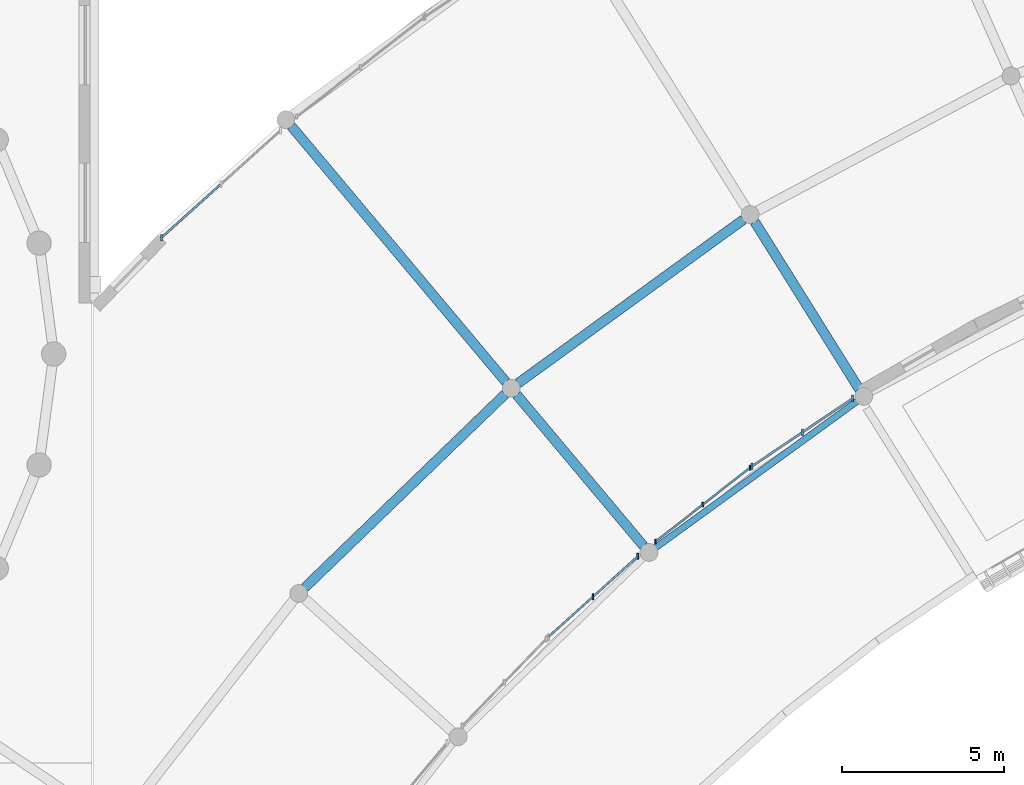
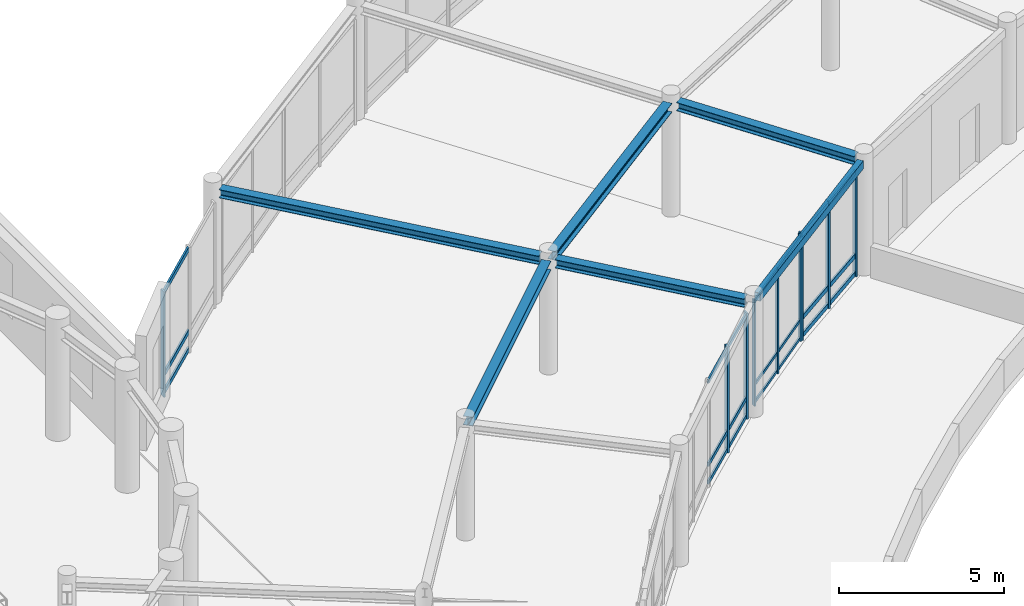
# One storey, part 9 of 62: 30 members, 6 beams, 4 elements without a shape of their own.
"""IFC4 building model written with IfcOpenShell, lengths in metres."""

from ifc_helpers import new_model, si_unit, direction, frame, origin, origin_2d, place, context, subcontext, project, spatial, rectangle, hollow_rectangle, i_section, extrude, material, material_profile, profile_set, type_object, element, aggregate, save


model = new_model("IFC4")

# Units and contexts
model_context = context("Model", 3, precision=1e-05, world=origin(), true_north=direction((0.0, 1.0)))
body_context = subcontext(model_context, "Body", "Model", "MODEL_VIEW")
ifc_project = project(units=[si_unit("LENGTHUNIT", "METRE"), si_unit("AREAUNIT", "SQUARE_METRE"), si_unit("VOLUMEUNIT", "CUBIC_METRE"), si_unit("PLANEANGLEUNIT", "RADIAN"), si_unit("MASSUNIT", "GRAM", prefix="KILO")], contexts=[model_context])

# Site, building, storey
site_placement = place(None, origin())
site = spatial("IfcSite", under=ifc_project, at=site_placement, CompositionType="ELEMENT")
building_placement = place(site_placement, origin())
building = spatial("IfcBuilding", under=site, at=building_placement, Name="Clarverna Civic Hall", CompositionType="ELEMENT")
storey_placement = place(building_placement, frame((0.0, 0.0, 5.10009765625)))
storey = spatial("IfcBuildingStorey", under=building, at=storey_placement, Name="L01", CompositionType="ELEMENT", Elevation=5.10009765625)

# Beams
ifc_material_1 = material(Name="Steel S355", Category="steel")
ifc_material_profile_1 = material_profile(ifc_material_1, hollow_rectangle(XDim=0.199951171875, YDim=0.300048828125, WallThickness=0.010009765625, at=origin_2d()), Name="RHS 300x200x10.0")
ifc_profile_set_1 = profile_set([ifc_material_profile_1], Name="Steel S355")
beam_type_1 = type_object("IfcBeamType", Name="B-ST15", PredefinedType="SPANDREL", material=ifc_profile_set_1)
beam_1_placement = place(storey_placement, frame((120.736328125, 57.542724609375, 4.10986328125), z_axis=(-0.809015945709, -0.587786695655, 0.0), x_axis=(0.587786695655, -0.809015945709, 0.0)))
element("IfcBeam", 1, at=beam_1_placement, inside=storey, type_object=beam_type_1, Name="B-ST15-013", PredefinedType="SPANDREL", context=body_context, shape_type="SweptSolid", body=[
    extrude(hollow_rectangle(XDim=0.199951171875, YDim=0.300048828125, WallThickness=0.010009765625, at=origin_2d()), origin(), (0.0, 0.0, 1.0), 7.655517578125),
])
ifc_material_profile_2 = material_profile(ifc_material_1, i_section(OverallWidth=0.300048828125, OverallDepth=0.330078125, WebThickness=0.009521484375, FlangeThickness=0.0166015625, FilletRadius=0.027099609375, at=origin_2d()), Name="HEA 340")
ifc_profile_set_2 = profile_set([ifc_material_profile_2], Name="Steel S355")
beam_type_2 = type_object("IfcBeamType", Name="B-ST8", PredefinedType="BEAM", material=ifc_profile_set_2)
for number, where, z_axis, x_axis, name in (
    (2, (117.239013671875, 63.139892578125, 4.054931640625), (-0.809021578494, -0.587778942742, 0.0), (0.587778942742, -0.809021578494, 0.0), "B-ST8-061"),
    (3, (109.9033203125, 57.765380859375, 4.054931640625), (-0.719353389595, -0.694644298097, 0.0), (0.694644298097, -0.719353389595, 0.0), "B-ST8-062"),
):
    element("IfcBeam", number, at=place(storey_placement, frame(where, z_axis=z_axis, x_axis=x_axis)), inside=storey, type_object=beam_type_2, Name=name, PredefinedType="BEAM", context=body_context, shape_type="SweptSolid", body=[
        extrude(i_section(OverallWidth=0.300048828125, OverallDepth=0.330078125, WebThickness=0.009521484375, FlangeThickness=0.0166015625, FilletRadius=0.027099609375, at=origin_2d()), origin(), (0.0, 0.0, 1.0), 8.576416015625),
    ])
ifc_material_profile_3 = material_profile(ifc_material_1, i_section(OverallWidth=0.300048828125, OverallDepth=0.31005859375, WebThickness=0.009033203125, FlangeThickness=0.015380859375, FilletRadius=0.027099609375, at=origin_2d()), Name="HEA 320")
ifc_profile_set_3 = profile_set([ifc_material_profile_3], Name="Steel S355")
beam_type_3 = type_object("IfcBeamType", Name="B-ST9", PredefinedType="BEAM", material=ifc_profile_set_3)
for number, where, z_axis, x_axis, name in (
    (4, (120.808837890625, 57.916015625, 4.06494140625), (-0.529883433489, 0.848070484638, 0.0), (-0.848070484638, -0.529883433489, 0.0), "B-ST9-062"),
    (5, (114.16552734375, 53.08935546875, 4.06494140625), (-0.6427993052, 0.766034629266, 0.0), (-0.766034629266, -0.6427993052, 0.0), "B-ST9-064"),
):
    element("IfcBeam", number, at=place(storey_placement, frame(where, z_axis=z_axis, x_axis=x_axis)), inside=storey, type_object=beam_type_3, Name=name, PredefinedType="BEAM", context=body_context, shape_type="SweptSolid", body=[
        extrude(i_section(OverallWidth=0.300048828125, OverallDepth=0.31005859375, WebThickness=0.009033203125, FlangeThickness=0.015380859375, FilletRadius=0.027099609375, at=origin_2d()), origin(), (0.0, 0.0, 1.0), 6.080078125),
    ])
beam_2_placement = place(storey_placement, frame((109.923095703125, 58.145263671875, 4.06494140625), z_axis=(-0.642787641695, 0.766044416261, 0.0), x_axis=(-0.766044416261, -0.642787641695, 0.0)))
element("IfcBeam", 6, at=beam_2_placement, inside=storey, type_object=beam_type_3, Name="B-ST9-065", PredefinedType="BEAM", context=body_context, shape_type="SweptSolid", body=[
    extrude(i_section(OverallWidth=0.300048828125, OverallDepth=0.31005859375, WebThickness=0.009033203125, FlangeThickness=0.015380859375, FilletRadius=0.027099609375, at=origin_2d()), origin(), (0.0, 0.0, 1.0), 10.280029296875),
])

# Curtain wall, members
ifc_material_2 = material(Name="Anodised Bronze Architectural Aluminium", Category="aluminium")
curtain_wall_type = type_object("IfcCurtainWallType", Name="CW-03", PredefinedType="USERDEFINED", material=ifc_material_2)
curtain_wall_1_placement = place(storey_placement, origin())
curtain_wall_1 = element("IfcCurtainWall", 7, at=curtain_wall_1_placement, inside=storey, type_object=curtain_wall_type, Name="CW-03-041", ObjectType="UNITISED CURTAIN WALL", PredefinedType="USERDEFINED")
ifc_material_profile_4 = material_profile(ifc_material_2, rectangle(XDim=0.06005859375, YDim=0.179931640625, at=origin_2d()), Name="BRONZE 60x180")
ifc_profile_set_4 = profile_set([ifc_material_profile_4], Name="Anodised Bronze Architectural Aluminium")
member_type_1 = type_object("IfcMemberType", Name="CWM-01", PredefinedType="MULLION", material=ifc_profile_set_4)
member_1_placement = place(storey_placement, frame((113.9931640625, 52.772705078125, 0.0), z_axis=(0.0, 0.0, 1.0), x_axis=(1.0, 0.0, 0.0)))
member_1 = element("IfcMember", 8, at=member_1_placement, type_object=member_type_1, Name="CWM-01-053", PredefinedType="MULLION", context=body_context, shape_type="SweptSolid", body=[
    extrude(rectangle(XDim=0.06005859375, YDim=0.179931640625, at=origin_2d()), origin(), (0.0, 0.0, 1.0), 3.909912109375),
])
member_2_placement = place(storey_placement, frame((112.6083984375, 51.526123046875, 0.0), z_axis=(0.0, 0.0, 1.0), x_axis=(1.0, 0.0, 0.0)))
member_2 = element("IfcMember", 9, at=member_2_placement, type_object=member_type_1, Name="CWM-01-054", PredefinedType="MULLION", context=body_context, shape_type="SweptSolid", body=[
    extrude(rectangle(XDim=0.06005859375, YDim=0.179931640625, at=origin_2d()), origin(), (0.0, 0.0, 1.0), 3.909912109375),
])

# Curtain wall, member
curtain_wall_2_placement = place(storey_placement, origin())
curtain_wall_2 = element("IfcCurtainWall", 10, at=curtain_wall_2_placement, inside=storey, type_object=curtain_wall_type, Name="CW-03-027", ObjectType="UNITISED CURTAIN WALL", PredefinedType="USERDEFINED")
ifc_material_profile_5 = material_profile(ifc_material_2, rectangle(XDim=0.06494140625, YDim=0.199951171875, at=origin_2d()), Name="BRONZE 65x200")
ifc_profile_set_5 = profile_set([ifc_material_profile_5], Name="Anodised Bronze Architectural Aluminium")
member_type_2 = type_object("IfcMemberType", Name="CWM-03", PredefinedType="MULLION", material=ifc_profile_set_5)
member_3_placement = place(storey_placement, frame((99.32421875, 62.587890625, 0.0), z_axis=(0.0, 0.0, 1.0), x_axis=(1.0, 0.0, 0.0)))
member_3 = element("IfcMember", 11, at=member_3_placement, type_object=member_type_2, Name="CWM-03-041", PredefinedType="MULLION", context=body_context, shape_type="SweptSolid", body=[
    extrude(rectangle(XDim=0.06494140625, YDim=0.199951171875, at=origin_2d()), origin(), (0.0, 0.0, 1.0), 3.889892578125),
])

# Curtain wall, members
curtain_wall_3_placement = place(storey_placement, origin())
curtain_wall_3 = element("IfcCurtainWall", 12, at=curtain_wall_3_placement, inside=storey, type_object=curtain_wall_type, Name="CW-03-039", ObjectType="UNITISED CURTAIN WALL", PredefinedType="USERDEFINED")
member_4_placement = place(storey_placement, frame((120.604248046875, 57.633544921875, 0.0), z_axis=(0.0, 0.0, 1.0), x_axis=(1.0, 0.0, 0.0)))
member_4 = element("IfcMember", 13, at=member_4_placement, type_object=member_type_2, Name="CWM-03-050", PredefinedType="MULLION", context=body_context, shape_type="SweptSolid", body=[
    extrude(rectangle(XDim=0.06494140625, YDim=0.199951171875, at=origin_2d()), origin(), (0.0, 0.0, 1.0), 3.909912109375),
])
member_5_placement = place(storey_placement, frame((119.0546875, 56.58837890625, 0.0), z_axis=(0.0, 0.0, 1.0), x_axis=(1.0, 0.0, 0.0)))
member_5 = element("IfcMember", 14, at=member_5_placement, type_object=member_type_2, Name="CWM-03-051", PredefinedType="MULLION", context=body_context, shape_type="SweptSolid", body=[
    extrude(rectangle(XDim=0.06494140625, YDim=0.199951171875, at=origin_2d()), origin(), (0.0, 0.0, 1.0), 3.909912109375),
])
member_6_placement = place(storey_placement, frame((117.5048828125, 55.54296875, 0.0), z_axis=(0.0, 0.0, 1.0), x_axis=(1.0, 0.0, 0.0)))
member_6 = element("IfcMember", 15, at=member_6_placement, type_object=member_type_2, Name="CWM-03-052", PredefinedType="MULLION", context=body_context, shape_type="SweptSolid", body=[
    extrude(rectangle(XDim=0.06494140625, YDim=0.199951171875, at=origin_2d()), origin(), (0.0, 0.0, 1.0), 3.909912109375),
])

curtain_wall_4_placement = place(storey_placement, origin())
curtain_wall_4 = element("IfcCurtainWall", 16, at=curtain_wall_4_placement, inside=storey, type_object=curtain_wall_type, Name="CW-03-040", ObjectType="UNITISED CURTAIN WALL", PredefinedType="USERDEFINED")
ifc_material_profile_6 = material_profile(ifc_material_2, rectangle(XDim=0.054931640625, YDim=0.139892578125, at=origin_2d()), Name="BRONZE 55x140")
ifc_profile_set_6 = profile_set([ifc_material_profile_6], Name="Anodised Bronze Architectural Aluminium")
member_type_3 = type_object("IfcMemberType", Name="CWM-04", PredefinedType="MULLION", material=ifc_profile_set_6)
member_7_placement = place(storey_placement, frame((117.443603515625, 55.498291015625, 0.0), z_axis=(0.0, 0.0, 1.0), x_axis=(1.0, 0.0, 0.0)))
member_7 = element("IfcMember", 17, at=member_7_placement, type_object=member_type_3, Name="CWM-04-063", PredefinedType="MULLION", context=body_context, shape_type="SweptSolid", body=[
    extrude(rectangle(XDim=0.054931640625, YDim=0.139892578125, at=origin_2d()), origin(), (0.0, 0.0, 1.0), 3.909912109375),
])
member_8_placement = place(storey_placement, frame((115.989013671875, 54.36181640625, 0.0), z_axis=(0.0, 0.0, 1.0), x_axis=(1.0, 0.0, 0.0)))
member_8 = element("IfcMember", 18, at=member_8_placement, type_object=member_type_3, Name="CWM-04-064", PredefinedType="MULLION", context=body_context, shape_type="SweptSolid", body=[
    extrude(rectangle(XDim=0.054931640625, YDim=0.139892578125, at=origin_2d()), origin(), (0.0, 0.0, 1.0), 3.909912109375),
])
member_9_placement = place(storey_placement, frame((114.534423828125, 53.2255859375, 0.0), z_axis=(0.0, 0.0, 1.0), x_axis=(1.0, 0.0, 0.0)))
member_9 = element("IfcMember", 19, at=member_9_placement, type_object=member_type_3, Name="CWM-04-065", PredefinedType="MULLION", context=body_context, shape_type="SweptSolid", body=[
    extrude(rectangle(XDim=0.054931640625, YDim=0.139892578125, at=origin_2d()), origin(), (0.0, 0.0, 1.0), 3.909912109375),
])

# Member
ifc_material_profile_7 = material_profile(ifc_material_2, rectangle(XDim=0.06005859375, YDim=0.14990234375, at=origin_2d()), Name="BRONZE 60x150")
ifc_profile_set_7 = profile_set([ifc_material_profile_7], Name="Anodised Bronze Architectural Aluminium")
member_type_4 = type_object("IfcMemberType", Name="CWT-01", PredefinedType="USERDEFINED", material=ifc_profile_set_7)
member_10_placement = place(storey_placement, frame((113.98193359375, 52.7626953125, 0.094970703125), z_axis=(-0.743161684399, -0.669111882155, 0.0), x_axis=(0.669111882155, -0.743161684399, 0.0)))
member_10 = element("IfcMember", 20, at=member_10_placement, type_object=member_type_4, Name="CWT-01-109", ObjectType="TRANSOM", PredefinedType="USERDEFINED", context=body_context, shape_type="SweptSolid", body=[
    extrude(rectangle(XDim=0.06005859375, YDim=0.14990234375, at=origin_2d()), origin(), (0.0, 0.0, 1.0), 1.8330078125),
])

member_11_placement = place(storey_placement, frame((113.98193359375, 52.7626953125, 0.75), z_axis=(-0.743161684399, -0.669111882155, 0.0), x_axis=(0.669111882155, -0.743161684399, 0.0)))
member_11 = element("IfcMember", 21, at=member_11_placement, type_object=member_type_4, Name="CWT-01-110", ObjectType="TRANSOM", PredefinedType="USERDEFINED", context=body_context, shape_type="SweptSolid", body=[
    extrude(rectangle(XDim=0.06005859375, YDim=0.14990234375, at=origin_2d()), origin(), (0.0, 0.0, 1.0), 1.8330078125),
])

member_12_placement = place(storey_placement, frame((113.98193359375, 52.7626953125, 3.81494140625), z_axis=(-0.743161684399, -0.669111882155, 0.0), x_axis=(0.669111882155, -0.743161684399, 0.0)))
member_12 = element("IfcMember", 22, at=member_12_placement, type_object=member_type_4, Name="CWT-01-111", ObjectType="TRANSOM", PredefinedType="USERDEFINED", context=body_context, shape_type="SweptSolid", body=[
    extrude(rectangle(XDim=0.06005859375, YDim=0.14990234375, at=origin_2d()), origin(), (0.0, 0.0, 1.0), 1.8330078125),
])

member_13_placement = place(storey_placement, frame((112.597412109375, 51.51611328125, 0.094970703125), z_axis=(-0.743155086701, -0.66911920994, 0.0), x_axis=(0.66911920994, -0.743155086701, 0.0)))
member_13 = element("IfcMember", 23, at=member_13_placement, type_object=member_type_4, Name="CWT-01-112", ObjectType="TRANSOM", PredefinedType="USERDEFINED", context=body_context, shape_type="SweptSolid", body=[
    extrude(rectangle(XDim=0.06005859375, YDim=0.14990234375, at=origin_2d()), origin(), (0.0, 0.0, 1.0), 1.83349609375),
])

member_14_placement = place(storey_placement, frame((112.597412109375, 51.51611328125, 0.75), z_axis=(-0.743155086701, -0.66911920994, 0.0), x_axis=(0.66911920994, -0.743155086701, 0.0)))
member_14 = element("IfcMember", 24, at=member_14_placement, type_object=member_type_4, Name="CWT-01-113", ObjectType="TRANSOM", PredefinedType="USERDEFINED", context=body_context, shape_type="SweptSolid", body=[
    extrude(rectangle(XDim=0.06005859375, YDim=0.14990234375, at=origin_2d()), origin(), (0.0, 0.0, 1.0), 1.83349609375),
])

member_15_placement = place(storey_placement, frame((112.597412109375, 51.51611328125, 3.81494140625), z_axis=(-0.743155086701, -0.66911920994, 0.0), x_axis=(0.66911920994, -0.743155086701, 0.0)))
member_15 = element("IfcMember", 25, at=member_15_placement, type_object=member_type_4, Name="CWT-01-114", ObjectType="TRANSOM", PredefinedType="USERDEFINED", context=body_context, shape_type="SweptSolid", body=[
    extrude(rectangle(XDim=0.06005859375, YDim=0.14990234375, at=origin_2d()), origin(), (0.0, 0.0, 1.0), 1.83349609375),
])

aggregate(curtain_wall_1, [member_1, member_2, member_10, member_11, member_12, member_13, member_14, member_15])

ifc_material_profile_8 = material_profile(ifc_material_2, rectangle(XDim=0.06494140625, YDim=0.169921875, at=origin_2d()), Name="BRONZE 65x170")
ifc_profile_set_8 = profile_set([ifc_material_profile_8], Name="Anodised Bronze Architectural Aluminium")
member_type_5 = type_object("IfcMemberType", Name="CWT-03", PredefinedType="USERDEFINED", material=ifc_profile_set_8)
member_16_placement = place(storey_placement, frame((99.335205078125, 62.597900390625, 0.094970703125), z_axis=(0.743179325849, 0.669092287827, 0.0), x_axis=(-0.669092287827, 0.743179325849, 0.0)))
member_16 = element("IfcMember", 26, at=member_16_placement, type_object=member_type_5, Name="CWT-03-085", ObjectType="TRANSOM", PredefinedType="USERDEFINED", context=body_context, shape_type="SweptSolid", body=[
    extrude(rectangle(XDim=0.06494140625, YDim=0.169921875, at=origin_2d()), origin(), (0.0, 0.0, 1.0), 2.431884765625),
])

member_17_placement = place(storey_placement, frame((99.335205078125, 62.597900390625, 0.75), z_axis=(0.743179325849, 0.669092287827, 0.0), x_axis=(-0.669092287827, 0.743179325849, 0.0)))
member_17 = element("IfcMember", 27, at=member_17_placement, type_object=member_type_5, Name="CWT-03-086", ObjectType="TRANSOM", PredefinedType="USERDEFINED", context=body_context, shape_type="SweptSolid", body=[
    extrude(rectangle(XDim=0.06494140625, YDim=0.169921875, at=origin_2d()), origin(), (0.0, 0.0, 1.0), 2.431884765625),
])

member_18_placement = place(storey_placement, frame((99.335205078125, 62.597900390625, 3.794921875), z_axis=(0.743179325849, 0.669092287827, 0.0), x_axis=(-0.669092287827, 0.743179325849, 0.0)))
member_18 = element("IfcMember", 28, at=member_18_placement, type_object=member_type_5, Name="CWT-03-087", ObjectType="TRANSOM", PredefinedType="USERDEFINED", context=body_context, shape_type="SweptSolid", body=[
    extrude(rectangle(XDim=0.06494140625, YDim=0.169921875, at=origin_2d()), origin(), (0.0, 0.0, 1.0), 2.431884765625),
])

aggregate(curtain_wall_2, [member_3, member_16, member_17, member_18])

member_19_placement = place(storey_placement, frame((120.591796875, 57.625, 0.094970703125), z_axis=(-0.829097886534, -0.559103473916, 0.0), x_axis=(0.559103473916, -0.829097886534, 0.0)))
member_19 = element("IfcMember", 29, at=member_19_placement, type_object=member_type_5, Name="CWT-03-103", ObjectType="TRANSOM", PredefinedType="USERDEFINED", context=body_context, shape_type="SweptSolid", body=[
    extrude(rectangle(XDim=0.06494140625, YDim=0.169921875, at=origin_2d()), origin(), (0.0, 0.0, 1.0), 1.839111328125),
])

member_20_placement = place(storey_placement, frame((120.591796875, 57.625, 0.75), z_axis=(-0.829097886534, -0.559103473916, 0.0), x_axis=(0.559103473916, -0.829097886534, 0.0)))
member_20 = element("IfcMember", 30, at=member_20_placement, type_object=member_type_5, Name="CWT-03-104", ObjectType="TRANSOM", PredefinedType="USERDEFINED", context=body_context, shape_type="SweptSolid", body=[
    extrude(rectangle(XDim=0.06494140625, YDim=0.169921875, at=origin_2d()), origin(), (0.0, 0.0, 1.0), 1.839111328125),
])

member_21_placement = place(storey_placement, frame((120.591796875, 57.625, 3.81494140625), z_axis=(-0.829097886534, -0.559103473916, 0.0), x_axis=(0.559103473916, -0.829097886534, 0.0)))
member_21 = element("IfcMember", 31, at=member_21_placement, type_object=member_type_5, Name="CWT-03-105", ObjectType="TRANSOM", PredefinedType="USERDEFINED", context=body_context, shape_type="SweptSolid", body=[
    extrude(rectangle(XDim=0.06494140625, YDim=0.169921875, at=origin_2d()), origin(), (0.0, 0.0, 1.0), 1.839111328125),
])

member_22_placement = place(storey_placement, frame((119.042236328125, 56.579833984375, 0.094970703125), z_axis=(-0.829097886534, -0.559103473916, 0.0), x_axis=(0.559103473916, -0.829097886534, 0.0)))
member_22 = element("IfcMember", 32, at=member_22_placement, type_object=member_type_5, Name="CWT-03-106", ObjectType="TRANSOM", PredefinedType="USERDEFINED", context=body_context, shape_type="SweptSolid", body=[
    extrude(rectangle(XDim=0.06494140625, YDim=0.169921875, at=origin_2d()), origin(), (0.0, 0.0, 1.0), 1.839111328125),
])

member_23_placement = place(storey_placement, frame((119.042236328125, 56.579833984375, 0.75), z_axis=(-0.829097886534, -0.559103473916, 0.0), x_axis=(0.559103473916, -0.829097886534, 0.0)))
member_23 = element("IfcMember", 33, at=member_23_placement, type_object=member_type_5, Name="CWT-03-107", ObjectType="TRANSOM", PredefinedType="USERDEFINED", context=body_context, shape_type="SweptSolid", body=[
    extrude(rectangle(XDim=0.06494140625, YDim=0.169921875, at=origin_2d()), origin(), (0.0, 0.0, 1.0), 1.839111328125),
])

member_24_placement = place(storey_placement, frame((119.042236328125, 56.579833984375, 3.81494140625), z_axis=(-0.829097886534, -0.559103473916, 0.0), x_axis=(0.559103473916, -0.829097886534, 0.0)))
member_24 = element("IfcMember", 34, at=member_24_placement, type_object=member_type_5, Name="CWT-03-108", ObjectType="TRANSOM", PredefinedType="USERDEFINED", context=body_context, shape_type="SweptSolid", body=[
    extrude(rectangle(XDim=0.06494140625, YDim=0.169921875, at=origin_2d()), origin(), (0.0, 0.0, 1.0), 1.839111328125),
])

aggregate(curtain_wall_3, [member_4, member_5, member_6, member_19, member_20, member_21, member_22, member_23, member_24])

ifc_material_profile_9 = material_profile(ifc_material_2, rectangle(XDim=0.054931640625, YDim=0.110107421875, at=origin_2d()), Name="BRONZE 55x110")
ifc_profile_set_9 = profile_set([ifc_material_profile_9], Name="Anodised Bronze Architectural Aluminium")
member_type_6 = type_object("IfcMemberType", Name="CWT-04", PredefinedType="USERDEFINED", material=ifc_profile_set_9)
member_25_placement = place(storey_placement, frame((117.431884765625, 55.4892578125, 0.094970703125), z_axis=(-0.788003993397, -0.615670127902, 0.0), x_axis=(0.615670127902, -0.788003993397, 0.0)))
member_25 = element("IfcMember", 35, at=member_25_placement, type_object=member_type_6, Name="CWT-04-130", ObjectType="TRANSOM", PredefinedType="USERDEFINED", context=body_context, shape_type="SweptSolid", body=[
    extrude(rectangle(XDim=0.054931640625, YDim=0.110107421875, at=origin_2d()), origin(), (0.0, 0.0, 1.0), 1.816162109375),
])

member_26_placement = place(storey_placement, frame((117.431884765625, 55.4892578125, 0.75), z_axis=(-0.788003993397, -0.615670127902, 0.0), x_axis=(0.615670127902, -0.788003993397, 0.0)))
member_26 = element("IfcMember", 36, at=member_26_placement, type_object=member_type_6, Name="CWT-04-131", ObjectType="TRANSOM", PredefinedType="USERDEFINED", context=body_context, shape_type="SweptSolid", body=[
    extrude(rectangle(XDim=0.054931640625, YDim=0.110107421875, at=origin_2d()), origin(), (0.0, 0.0, 1.0), 1.816162109375),
])

member_27_placement = place(storey_placement, frame((117.431884765625, 55.4892578125, 3.81494140625), z_axis=(-0.788003993397, -0.615670127902, 0.0), x_axis=(0.615670127902, -0.788003993397, 0.0)))
member_27 = element("IfcMember", 37, at=member_27_placement, type_object=member_type_6, Name="CWT-04-132", ObjectType="TRANSOM", PredefinedType="USERDEFINED", context=body_context, shape_type="SweptSolid", body=[
    extrude(rectangle(XDim=0.054931640625, YDim=0.110107421875, at=origin_2d()), origin(), (0.0, 0.0, 1.0), 1.816162109375),
])

member_28_placement = place(storey_placement, frame((115.977294921875, 54.352783203125, 0.094970703125), z_axis=(-0.788003993397, -0.615670127902, 0.0), x_axis=(0.615670127902, -0.788003993397, 0.0)))
member_28 = element("IfcMember", 38, at=member_28_placement, type_object=member_type_6, Name="CWT-04-133", ObjectType="TRANSOM", PredefinedType="USERDEFINED", context=body_context, shape_type="SweptSolid", body=[
    extrude(rectangle(XDim=0.054931640625, YDim=0.110107421875, at=origin_2d()), origin(), (0.0, 0.0, 1.0), 1.816162109375),
])

member_29_placement = place(storey_placement, frame((115.977294921875, 54.352783203125, 0.75), z_axis=(-0.788003993397, -0.615670127902, 0.0), x_axis=(0.615670127902, -0.788003993397, 0.0)))
member_29 = element("IfcMember", 39, at=member_29_placement, type_object=member_type_6, Name="CWT-04-134", ObjectType="TRANSOM", PredefinedType="USERDEFINED", context=body_context, shape_type="SweptSolid", body=[
    extrude(rectangle(XDim=0.054931640625, YDim=0.110107421875, at=origin_2d()), origin(), (0.0, 0.0, 1.0), 1.816162109375),
])

member_30_placement = place(storey_placement, frame((115.977294921875, 54.352783203125, 3.81494140625), z_axis=(-0.788003993397, -0.615670127902, 0.0), x_axis=(0.615670127902, -0.788003993397, 0.0)))
member_30 = element("IfcMember", 40, at=member_30_placement, type_object=member_type_6, Name="CWT-04-135", ObjectType="TRANSOM", PredefinedType="USERDEFINED", context=body_context, shape_type="SweptSolid", body=[
    extrude(rectangle(XDim=0.054931640625, YDim=0.110107421875, at=origin_2d()), origin(), (0.0, 0.0, 1.0), 1.816162109375),
])

aggregate(curtain_wall_4, [member_7, member_8, member_9, member_25, member_26, member_27, member_28, member_29, member_30])

save(model, "model.ifc")
